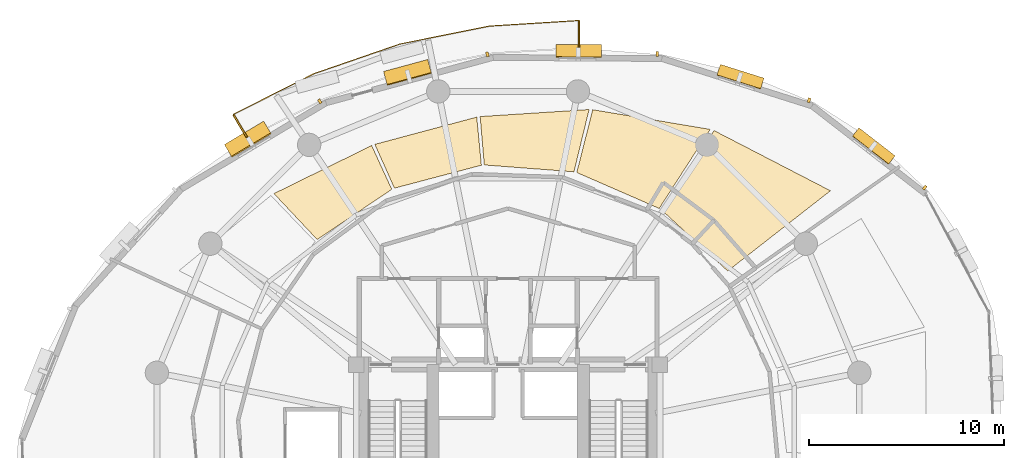
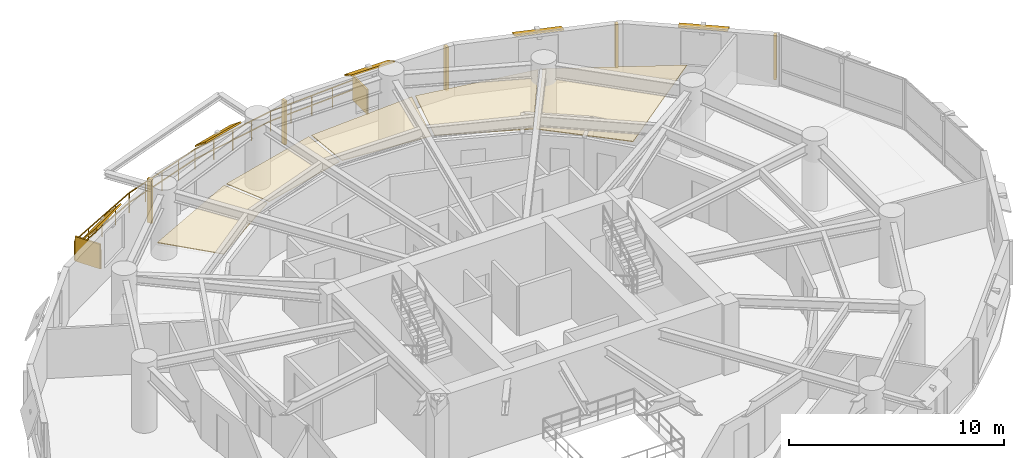
# One storey, part 15 of 15: 12 shading devices, 5 coverings, 1 railing.
"""IFC4 building model written with IfcOpenShell, lengths in metres."""

import ifcopenshell
import ifcopenshell.guid

model = None  # the IFC model being written
_history = None  # IfcOwnerHistory: only IFC2X3 demands one
_inside = {}  # id of a spatial element -> (the spatial element, [elements in it])
_under = {}  # id of a project, library or spatial element -> (it, [spatial elements below it])
_declared = {}  # id of a project -> (the project, [libraries it declares])
_typed = {}  # id of a type object -> (the type object, [elements of that type])
_made_of = {}  # id of a material, layer set ... -> (it, [elements and type objects made of it])


def new_model(schema):
    """Start an empty IFC model of exactly this schema.

    Asked for "IFC4X3", IfcOpenShell would pick the latest addendum, in which some entities
    have other attributes; the version numbers below select the first issue.
    IFC2X3 requires an IfcOwnerHistory on every rooted entity: one is made here for all.
    """
    global model, _history
    if schema == "IFC4X3":
        model = ifcopenshell.file(schema_version=(4, 3, 0, 0))
    else:
        model = ifcopenshell.file(schema=schema)
    _inside.clear()
    _under.clear()
    _declared.clear()
    _typed.clear()
    _made_of.clear()
    _history = None
    if model.schema == "IFC2X3":
        org = make("IfcOrganization", Name="unknown")
        user = make(
            "IfcPersonAndOrganization",
            ThePerson=make("IfcPerson", FamilyName="unknown"),
            TheOrganization=org,
        )
        app = make(
            "IfcApplication",
            ApplicationDeveloper=org,
            Version="unknown",
            ApplicationFullName="unknown",
            ApplicationIdentifier="unknown",
        )
        _history = make(
            "IfcOwnerHistory",
            OwningUser=user,
            OwningApplication=app,
            ChangeAction="ADDED",
            CreationDate=0,
        )
    return model


def make(cls, **values):
    """One entity of the class cls with the attributes given. An attribute that is None is left unset."""
    return model.create_entity(
        cls, **{name: value for name, value in values.items() if value is not None}
    )


def rooted(cls, **values):
    """An entity with a GlobalId (a new one), such as an element, a storey or a relation."""
    return make(cls, GlobalId=ifcopenshell.guid.new(), OwnerHistory=_history, **values)


def si_unit(unit_type, name, prefix=None):
    """IfcSIUnit, for example si_unit("LENGTHUNIT", "METRE", prefix="MILLI")."""
    return make("IfcSIUnit", UnitType=unit_type, Prefix=prefix, Name=name)


def assignment(units):
    """IfcUnitAssignment: the units of a project."""
    return None if units is None else make("IfcUnitAssignment", Units=units)


def point(xyz):
    """IfcCartesianPoint."""
    return None if xyz is None else make("IfcCartesianPoint", Coordinates=xyz)


def direction(xyz):
    """IfcDirection."""
    return None if xyz is None else make("IfcDirection", DirectionRatios=xyz)


def frame(location, z_axis=None, x_axis=None):
    """IfcAxis2Placement3D, a coordinate frame: its origin and axes. An axis left out is left unset."""
    return make(
        "IfcAxis2Placement3D",
        Location=point(location),
        Axis=direction(z_axis),
        RefDirection=direction(x_axis),
    )


def frame_2d(location, x_axis=None):
    """IfcAxis2Placement2D, a coordinate frame in the plane: its origin and x axis."""
    return make(
        "IfcAxis2Placement2D", Location=point(location), RefDirection=direction(x_axis)
    )


def origin():
    """The frame at (0, 0, 0) with its axes left unset."""
    return frame((0.0, 0.0, 0.0))


def origin_2d():
    """The frame at (0, 0) in the plane with its x axis left unset."""
    return frame_2d((0.0, 0.0))


def place(relative_to, where):
    """IfcLocalPlacement: puts the frame where relative to a parent placement (None: the world)."""
    return make(
        "IfcLocalPlacement", PlacementRelTo=relative_to, RelativePlacement=where
    )


def context(
    kind, dimensions, precision=None, world=None, true_north=None, identifier=None
):
    """IfcGeometricRepresentationContext, for example the 3D "Model" context."""
    return make(
        "IfcGeometricRepresentationContext",
        ContextIdentifier=identifier,
        ContextType=kind,
        CoordinateSpaceDimension=dimensions,
        Precision=precision,
        WorldCoordinateSystem=world,
        TrueNorth=true_north,
    )


def subcontext(parent, identifier, kind, view, scale=None):
    """IfcGeometricRepresentationSubContext, for example "Body" below "Model"."""
    return make(
        "IfcGeometricRepresentationSubContext",
        ContextIdentifier=identifier,
        ContextType=kind,
        ParentContext=parent,
        TargetScale=scale,
        TargetView=view,
    )


def project(units=None, contexts=None):
    """IfcProject with its units and contexts."""
    return rooted(
        "IfcProject",
        Name="project",
        RepresentationContexts=contexts,
        UnitsInContext=assignment(units),
    )


def spatial(cls, under=None, at=None, **own):
    """A site, building, storey or space (cls), placed at a placement, below another one or the project."""
    s = rooted(cls, ObjectPlacement=at, **own)
    if under is not None:
        _under.setdefault(under.id(), (under, []))[1].append(s)
    return s


def polyline(points):
    """IfcPolyline through the points."""
    return make("IfcPolyline", Points=[point(p) for p in points])


def profile(cls, at=None, kind="AREA", **sizes):
    """A parametric profile (cls). Its sizes go by their IFC names, for example OverallWidth=200.0."""
    return make(cls, ProfileType=kind, Position=at, **sizes)


def rectangle(**sizes):
    """IfcRectangleProfileDef."""
    return profile("IfcRectangleProfileDef", **sizes)


def outline(outer, holes=None, kind="AREA"):
    """IfcArbitraryClosedProfileDef: a profile drawn as a closed curve; with holes, ...WithVoids."""
    if holes is None:
        return make("IfcArbitraryClosedProfileDef", ProfileType=kind, OuterCurve=outer)
    return make(
        "IfcArbitraryProfileDefWithVoids",
        ProfileType=kind,
        OuterCurve=outer,
        InnerCurves=holes,
    )


def extrude(swept, where, along, depth):
    """IfcExtrudedAreaSolid: the profile swept, set in the frame where, extruded along a direction by depth."""
    return make(
        "IfcExtrudedAreaSolid",
        SweptArea=swept,
        Position=where,
        ExtrudedDirection=direction(along),
        Depth=depth,
    )


def shape(context_of_items, identifier, shape_type, items):
    """IfcShapeRepresentation: the items that make up one representation, for example the "Body"."""
    return make(
        "IfcShapeRepresentation",
        ContextOfItems=context_of_items,
        RepresentationIdentifier=identifier,
        RepresentationType=shape_type,
        Items=items,
    )


def material(Name=None, Category=None):
    """IfcMaterial."""
    return make("IfcMaterial", Name=Name, Category=Category)


def layer(
    of_material, thickness, ventilated=None, Name=None, Category=None, Priority=None
):
    """IfcMaterialLayer: one layer of a wall or slab, of a material (None: an air gap)."""
    return make(
        "IfcMaterialLayer",
        Material=of_material,
        LayerThickness=thickness,
        IsVentilated=ventilated,
        Name=Name,
        Category=Category,
        Priority=Priority,
    )


def layer_set(layers, Name=None):
    """IfcMaterialLayerSet."""
    return make("IfcMaterialLayerSet", MaterialLayers=layers, LayerSetName=Name)


def made_of(thing, what):
    """Note that an element or type object is made of a material, layer set ...; save() writes the relation."""
    if what is not None:
        _made_of.setdefault(what.id(), (what, []))[1].append(thing)
    return thing


def type_object(cls, material=None, **own):
    """A type object (cls), such as IfcWallType, which elements share."""
    return made_of(rooted(cls, **own), material)


def element(
    cls,
    number,
    at=None,
    inside=None,
    cuts=None,
    type_object=None,
    material=None,
    context=None,
    identifier="Body",
    shape_type=None,
    held_by="IfcProductDefinitionShape",
    body=None,
    shapes=None,
    **own,
):
    """One element of the class cls, such as IfcWall. Its Tag is "e" and its number.

    at: its placement. inside: the storey or other place that contains it. cuts: it is an
    opening in that element (IfcRelVoidsElement). A single representation is given by context,
    identifier, shape_type and body (its items); several are given by shapes. held_by: the class
    of the entity that holds the representations. save() writes the other relations.
    """
    e = rooted(cls, Tag="e%d" % number, ObjectPlacement=at, **own)
    if body is not None:
        shapes = [shape(context, identifier, shape_type, body)]
    if shapes is not None:
        e.Representation = make(held_by, Representations=shapes)
    if inside is not None:
        _inside.setdefault(inside.id(), (inside, []))[1].append(e)
    if cuts is not None:
        rooted(
            "IfcRelVoidsElement", RelatingBuildingElement=cuts, RelatedOpeningElement=e
        )
    if type_object is not None:
        _typed.setdefault(type_object.id(), (type_object, []))[1].append(e)
    return made_of(e, material)


def aggregate(whole, parts):
    """IfcRelAggregates: a whole, such as a stair, and the parts it consists of."""
    return rooted("IfcRelAggregates", RelatingObject=whole, RelatedObjects=parts)


def save(model, path):
    """Write the relations noted so far, then the file.

    IfcRelAggregates (storeys below a building ...), IfcRelContainedInSpatialStructure (elements
    in a storey), IfcRelDefinesByType, IfcRelAssociatesMaterial and IfcRelDeclares: one each for
    every whole, place, type object, material and project.
    """
    for whole, parts in _under.values():
        aggregate(whole, parts)
    for where, things in _inside.values():
        rooted(
            "IfcRelContainedInSpatialStructure",
            RelatedElements=things,
            RelatingStructure=where,
        )
    for kind, things in _typed.values():
        rooted("IfcRelDefinesByType", RelatedObjects=things, RelatingType=kind)
    for what, things in _made_of.values():
        rooted("IfcRelAssociatesMaterial", RelatedObjects=things, RelatingMaterial=what)
    for by, libraries in _declared.values():
        rooted("IfcRelDeclares", RelatingContext=by, RelatedDefinitions=libraries)
    model.write(path)


model = new_model("IFC4")

# Units and contexts
model_context = context("Model", 3, precision=1e-05, world=origin(), true_north=direction((0.0, 1.0)))
body_context = subcontext(model_context, "Body", "Model", "MODEL_VIEW")
ifc_project = project(units=[si_unit("LENGTHUNIT", "METRE"), si_unit("AREAUNIT", "SQUARE_METRE"), si_unit("VOLUMEUNIT", "CUBIC_METRE"), si_unit("PLANEANGLEUNIT", "RADIAN"), si_unit("MASSUNIT", "GRAM", prefix="KILO"), si_unit("THERMODYNAMICTEMPERATUREUNIT", "KELVIN"), si_unit("POWERUNIT", "WATT")], contexts=[model_context])

# Site, building, storey
site_placement = place(None, origin())
site = spatial("IfcSite", under=ifc_project, at=site_placement, CompositionType="ELEMENT")
building_placement = place(site_placement, origin())
building = spatial("IfcBuilding", under=site, at=building_placement, Name="Ocrelia Relay Tower", CompositionType="ELEMENT")
storey_placement = place(building_placement, frame((0.0, 0.0, 97.800048828125)))
storey = spatial("IfcBuildingStorey", under=building, at=storey_placement, Name="L22", CompositionType="ELEMENT", Elevation=97.800048828125)

# Coverings
ifc_material_1 = material(Name="Cleanroom metal-pan acoustic ceiling", Category="aluminium")
ifc_layer_1 = layer(ifc_material_1, 0.0400390625, Name="Cleanroom metal-pan acoustic ceiling")
ifc_layer_set_1 = layer_set([ifc_layer_1], Name="Cleanroom metal-pan acoustic ceiling")
covering_type = type_object("IfcCoveringType", Name="COV-CEIL-CLEAN", PredefinedType="CEILING", material=ifc_layer_set_1)
covering_1_placement = place(storey_placement, frame((0.0, 0.0, 2.719970703125)))
element("IfcCovering", 1, at=covering_1_placement, inside=storey, type_object=covering_type, Name="L22 Optical Switching Hall A Suspended Ceiling 1", PredefinedType="CEILING", context=body_context, shape_type="SweptSolid", body=[
    extrude(outline(polyline([(45.2841796875, 34.81640625), (50.565673828125, 38.9423828125), (44.5859375, 42.0341796875), (41.889892578125, 37.950439453125), (45.2841796875, 34.81640625)])), origin(), (0.0, 0.0, 1.0), 0.0400390625),
])
covering_2_placement = place(storey_placement, frame((0.0, 0.0, 2.719970703125)))
element("IfcCovering", 2, at=covering_2_placement, inside=storey, type_object=covering_type, Name="L22 Optical Switching Hall A Suspended Ceiling 2", PredefinedType="CEILING", context=body_context, shape_type="SweptSolid", body=[
    extrude(outline(polyline([(41.764404296875, 38.032470703125), (44.386474609375, 42.095947265625), (38.350341796875, 43.1083984375), (37.529052734375, 39.87841796875), (41.764404296875, 38.032470703125)])), origin(), (0.0, 0.0, 1.0), 0.0400390625),
])
covering_3_placement = place(storey_placement, frame((0.0, 0.0, 2.719970703125)))
element("IfcCovering", 3, at=covering_3_placement, inside=storey, type_object=covering_type, Name="L22 Optical Switching Hall A Suspended Ceiling 3", PredefinedType="CEILING", context=body_context, shape_type="SweptSolid", body=[
    extrude(outline(polyline([(37.38330078125, 39.91455078125), (38.161865234375, 43.1162109375), (32.5634765625, 42.755615234375), (32.77685546875, 40.267578125), (37.38330078125, 39.91455078125)])), origin(), (0.0, 0.0, 1.0), 0.0400390625),
])
covering_4_placement = place(storey_placement, frame((0.0, 0.0, 2.719970703125)))
element("IfcCovering", 4, at=covering_4_placement, inside=storey, type_object=covering_type, Name="L22 Optical Switching Hall A Suspended Ceiling 4", PredefinedType="CEILING", context=body_context, shape_type="SweptSolid", body=[
    extrude(outline(polyline([(32.62744140625, 40.254150390625), (32.389404296875, 42.7265625), (27.154296875, 41.327392578125), (28.160400390625, 39.0751953125), (32.62744140625, 40.254150390625)])), origin(), (0.0, 0.0, 1.0), 0.0400390625),
])
covering_5_placement = place(storey_placement, frame((0.0, 0.0, 2.719970703125)))
element("IfcCovering", 5, at=covering_5_placement, inside=storey, type_object=covering_type, Name="L22 Optical Switching Hall A Suspended Ceiling 5", PredefinedType="CEILING", context=body_context, shape_type="SweptSolid", body=[
    extrude(outline(polyline([(28.023681640625, 39.01318359375), (26.9892578125, 41.26611328125), (21.9697265625, 38.796142578125), (24.191162109375, 36.43310546875), (28.023681640625, 39.01318359375)])), origin(), (0.0, 0.0, 1.0), 0.0400390625),
])

# Railing
ifc_material_2 = material(Name="Steel S355 balustrade", Category="steel")
railing_type = type_object("IfcRailingType", Name="RL-EXT-GUARD-1150", PredefinedType="GUARDRAIL", material=ifc_material_2)
railing_placement = place(storey_placement, frame((20.5908203125, 41.667236328125, 0.0)))
element("IfcRailing", 6, at=railing_placement, inside=storey, type_object=railing_type, Name="L22 Loggia Balcony Guard Rail B1", PredefinedType="GUARDRAIL", context=body_context, shape_type="SweptSolid", body=[
    extrude(rectangle(XDim=0.048095703125, YDim=0.048095703125, at=origin_2d()), frame((0.0, 0.0, 1.1259765625), z_axis=(-0.512820036813, 0.85849613269, 0.0), x_axis=(-0.85849613269, -0.512820036813, 0.0)), (0.0, 0.0, 1.0), 1.3935546875),
    extrude(rectangle(XDim=0.048095703125, YDim=0.048095703125, at=origin_2d()), frame((0.0, 0.0, 0.574951171875), z_axis=(-0.512820036813, 0.85849613269, 0.0), x_axis=(-0.85849613269, -0.512820036813, 0.0)), (0.0, 0.0, 1.0), 1.3935546875),
    extrude(rectangle(XDim=0.048095703125, YDim=0.048095703125, at=origin_2d()), frame((-0.714599609375, 1.1962890625, 1.1259765625), z_axis=(0.892457610398, 0.451131259881, 0.0), x_axis=(-0.451131259881, 0.892457610398, 0.0)), (0.0, 0.0, 1.0), 2.315673828125),
    extrude(rectangle(XDim=0.048095703125, YDim=0.048095703125, at=origin_2d()), frame((-0.714599609375, 1.1962890625, 0.574951171875), z_axis=(0.892457610398, 0.451131259881, 0.0), x_axis=(-0.451131259881, 0.892457610398, 0.0)), (0.0, 0.0, 1.0), 2.315673828125),
    extrude(rectangle(XDim=0.048095703125, YDim=0.048095703125, at=origin_2d()), frame((1.35205078125, 2.240966796875, 1.1259765625), z_axis=(0.892415161061, 0.451215226148, 0.0), x_axis=(-0.451215226148, 0.892415161061, 0.0)), (0.0, 0.0, 1.0), 2.315673828125),
    extrude(rectangle(XDim=0.048095703125, YDim=0.048095703125, at=origin_2d()), frame((1.35205078125, 2.240966796875, 0.574951171875), z_axis=(0.892415161061, 0.451215226148, 0.0), x_axis=(-0.451215226148, 0.892415161061, 0.0)), (0.0, 0.0, 1.0), 2.315673828125),
    extrude(rectangle(XDim=0.048095703125, YDim=0.048095703125, at=origin_2d()), frame((3.418701171875, 3.285888671875, 1.1259765625), z_axis=(0.94528262495, 0.32625259994, 0.0), x_axis=(-0.32625259994, 0.94528262495, 0.0)), (0.0, 0.0, 1.0), 4.68212890625),
    extrude(rectangle(XDim=0.048095703125, YDim=0.048095703125, at=origin_2d()), frame((3.418701171875, 3.285888671875, 0.574951171875), z_axis=(0.94528262495, 0.32625259994, 0.0), x_axis=(-0.32625259994, 0.94528262495, 0.0)), (0.0, 0.0, 1.0), 4.68212890625),
    extrude(rectangle(XDim=0.048095703125, YDim=0.048095703125, at=origin_2d()), frame((7.8447265625, 4.8134765625, 1.1259765625), z_axis=(0.980413862374, 0.196948364971, 0.0), x_axis=(-0.196948364971, 0.980413862374, 0.0)), (0.0, 0.0, 1.0), 4.68212890625),
    extrude(rectangle(XDim=0.048095703125, YDim=0.048095703125, at=origin_2d()), frame((7.8447265625, 4.8134765625, 0.574951171875), z_axis=(0.980413862374, 0.196948364971, 0.0), x_axis=(-0.196948364971, 0.980413862374, 0.0)), (0.0, 0.0, 1.0), 4.68212890625),
    extrude(rectangle(XDim=0.048095703125, YDim=0.048095703125, at=origin_2d()), frame((12.43505859375, 5.735595703125, 1.1259765625), z_axis=(0.998043954597, 0.062516115462, 0.0), x_axis=(-0.062516115462, 0.998043954597, 0.0)), (0.0, 0.0, 1.0), 2.31591796875),
    extrude(rectangle(XDim=0.048095703125, YDim=0.048095703125, at=origin_2d()), frame((12.43505859375, 5.735595703125, 0.574951171875), z_axis=(0.998043954597, 0.062516115462, 0.0), x_axis=(-0.062516115462, 0.998043954597, 0.0)), (0.0, 0.0, 1.0), 2.31591796875),
    extrude(rectangle(XDim=0.048095703125, YDim=0.048095703125, at=origin_2d()), frame((14.746337890625, 5.88037109375, 1.1259765625), z_axis=(0.99805052689, 0.062411102981, 0.0), x_axis=(-0.062411102981, 0.99805052689, 0.0)), (0.0, 0.0, 1.0), 2.315673828125),
    extrude(rectangle(XDim=0.048095703125, YDim=0.048095703125, at=origin_2d()), frame((14.746337890625, 5.88037109375, 0.574951171875), z_axis=(0.99805052689, 0.062411102981, 0.0), x_axis=(-0.062411102981, 0.99805052689, 0.0)), (0.0, 0.0, 1.0), 2.315673828125),
    extrude(rectangle(XDim=0.048095703125, YDim=0.048095703125, at=origin_2d()), frame((17.0576171875, 6.02490234375, 1.1259765625), z_axis=(-0.007883427057, -0.999968925306, 0.0), x_axis=(0.999968925306, -0.007883427057, 0.0)), (0.0, 0.0, 1.0), 1.3935546875),
    extrude(rectangle(XDim=0.048095703125, YDim=0.048095703125, at=origin_2d()), frame((17.0576171875, 6.02490234375, 0.574951171875), z_axis=(-0.007883427057, -0.999968925306, 0.0), x_axis=(0.999968925306, -0.007883427057, 0.0)), (0.0, 0.0, 1.0), 1.3935546875),
    extrude(rectangle(XDim=0.0419921875, YDim=0.0419921875, at=origin_2d()), origin(), (0.0, 0.0, 1.0), 1.101806640625),
    extrude(rectangle(XDim=0.0419921875, YDim=0.0419921875, at=origin_2d()), frame((-0.357421875, 0.59814453125, 0.0)), (0.0, 0.0, 1.0), 1.101806640625),
    extrude(rectangle(XDim=0.0419921875, YDim=0.0419921875, at=origin_2d()), frame((-0.714599609375, 1.1962890625, 0.0)), (0.0, 0.0, 1.0), 1.101806640625),
    extrude(rectangle(XDim=0.0419921875, YDim=0.0419921875, at=origin_2d()), frame((0.31884765625, 1.71875, 0.0)), (0.0, 0.0, 1.0), 1.101806640625),
    extrude(rectangle(XDim=0.0419921875, YDim=0.0419921875, at=origin_2d()), frame((1.35205078125, 2.240966796875, 0.0)), (0.0, 0.0, 1.0), 1.101806640625),
    extrude(rectangle(XDim=0.0419921875, YDim=0.0419921875, at=origin_2d()), frame((2.38525390625, 2.763427734375, 0.0)), (0.0, 0.0, 1.0), 1.101806640625),
    extrude(rectangle(XDim=0.0419921875, YDim=0.0419921875, at=origin_2d()), frame((3.418701171875, 3.285888671875, 0.0)), (0.0, 0.0, 1.0), 1.101806640625),
    extrude(rectangle(XDim=0.0419921875, YDim=0.0419921875, at=origin_2d()), frame((4.525146484375, 3.667724609375, 0.0)), (0.0, 0.0, 1.0), 1.101806640625),
    extrude(rectangle(XDim=0.0419921875, YDim=0.0419921875, at=origin_2d()), frame((5.6318359375, 4.0498046875, 0.0)), (0.0, 0.0, 1.0), 1.101806640625),
    extrude(rectangle(XDim=0.0419921875, YDim=0.0419921875, at=origin_2d()), frame((6.73828125, 4.431640625, 0.0)), (0.0, 0.0, 1.0), 1.101806640625),
    extrude(rectangle(XDim=0.0419921875, YDim=0.0419921875, at=origin_2d()), frame((7.8447265625, 4.8134765625, 0.0)), (0.0, 0.0, 1.0), 1.101806640625),
    extrude(rectangle(XDim=0.0419921875, YDim=0.0419921875, at=origin_2d()), frame((8.9921875, 5.0439453125, 0.0)), (0.0, 0.0, 1.0), 1.101806640625),
    extrude(rectangle(XDim=0.0419921875, YDim=0.0419921875, at=origin_2d()), frame((10.139892578125, 5.2744140625, 0.0)), (0.0, 0.0, 1.0), 1.101806640625),
    extrude(rectangle(XDim=0.0419921875, YDim=0.0419921875, at=origin_2d()), frame((11.28759765625, 5.505126953125, 0.0)), (0.0, 0.0, 1.0), 1.101806640625),
    extrude(rectangle(XDim=0.0419921875, YDim=0.0419921875, at=origin_2d()), frame((12.43505859375, 5.735595703125, 0.0)), (0.0, 0.0, 1.0), 1.101806640625),
    extrude(rectangle(XDim=0.0419921875, YDim=0.0419921875, at=origin_2d()), frame((13.5908203125, 5.80810546875, 0.0)), (0.0, 0.0, 1.0), 1.101806640625),
    extrude(rectangle(XDim=0.0419921875, YDim=0.0419921875, at=origin_2d()), frame((14.746337890625, 5.88037109375, 0.0)), (0.0, 0.0, 1.0), 1.101806640625),
    extrude(rectangle(XDim=0.0419921875, YDim=0.0419921875, at=origin_2d()), frame((15.90185546875, 5.95263671875, 0.0)), (0.0, 0.0, 1.0), 1.101806640625),
    extrude(rectangle(XDim=0.0419921875, YDim=0.0419921875, at=origin_2d()), frame((17.0576171875, 6.02490234375, 0.0)), (0.0, 0.0, 1.0), 1.101806640625),
    extrude(rectangle(XDim=0.0419921875, YDim=0.0419921875, at=origin_2d()), frame((17.05224609375, 5.328125, 0.0)), (0.0, 0.0, 1.0), 1.101806640625),
    extrude(rectangle(XDim=0.0419921875, YDim=0.0419921875, at=origin_2d()), frame((17.046630859375, 4.63134765625, 0.0)), (0.0, 0.0, 1.0), 1.101806640625),
])

# Shading devices
ifc_material_3 = material(Name="Perforated oxide terracotta solar screen", Category="masonry")
ifc_layer_2 = layer(ifc_material_3, 0.090087890625, Name="Perforated oxide terracotta solar screen")
ifc_layer_set_2 = layer_set([ifc_layer_2], Name="Perforated oxide terracotta solar screen")
shading_device_type_1 = type_object("IfcShadingDeviceType", Name="SH-BALC-SCREEN", PredefinedType="USERDEFINED", material=ifc_layer_set_2)
for number, where, z_axis, x_axis, name in (
    (7, (37.642822265625, 46.995361328125, 0.0), (0.0, 0.0, 1.0), (0.007965873277, 0.999968271928, 0.0), "L22 Balcony Perforated Terracotta Screen B1-1"),
    (8, (20.233642578125, 42.265380859375, 0.0), (0.0, 0.0, 1.0), (-0.512869675439, 0.858466479261, 0.0), "L22 Balcony Perforated Terracotta Screen B1-2"),
):
    element("IfcShadingDevice", number, at=place(storey_placement, frame(where, z_axis=z_axis, x_axis=x_axis)), inside=storey, type_object=shading_device_type_1, Name=name, ObjectType="SCREEN", PredefinedType="USERDEFINED", context=body_context, shape_type="SweptSolid", body=[
        extrude(rectangle(XDim=1.340087890625, YDim=0.090087890625, at=origin_2d()), origin(), (0.0, 0.0, 1.0), 1.39990234375),
    ])
ifc_material_4 = material(Name="Extruded oxide terracotta vertical baguette", Category="masonry")
shading_device_type_2 = type_object("IfcShadingDeviceType", Name="SH-TERR-BAGUETTE", PredefinedType="USERDEFINED", material=ifc_material_4)
for number, where, z_axis, x_axis, name in (
    (9, (55.408203125, 39.10498046875, 0.199951171875), (0.0, 0.0, 1.0), (-0.790363406369, 0.612638299384, 0.0), "L22 Oxide Terracotta Vertical Baguette 02"),
    (10, (49.4619140625, 43.59130859375, 0.199951171875), (0.0, 0.0, 1.0), (-0.95362167672, 0.30100780337, 0.0), "L22 Oxide Terracotta Vertical Baguette 03"),
    (11, (41.663330078125, 45.968017578125, 0.199951171875), (0.0, 0.0, 1.0), (-0.99997900527, 0.006479893474, 0.0), "L22 Oxide Terracotta Vertical Baguette 04"),
    (12, (32.93701171875, 45.951416015625, 0.199951171875), (0.0, 0.0, 1.0), (-0.965015154007, -0.262194112323, 0.0), "L22 Oxide Terracotta Vertical Baguette 05"),
    (13, (24.325439453125, 43.5361328125, 0.199951171875), (0.0, 0.0, 1.0), (-0.859219635369, -0.511606898113, 0.0), "L22 Oxide Terracotta Vertical Baguette 06"),
):
    element("IfcShadingDevice", number, at=place(storey_placement, frame(where, z_axis=z_axis, x_axis=x_axis)), inside=storey, type_object=shading_device_type_2, Name=name, ObjectType="BAGUETTE", PredefinedType="USERDEFINED", context=body_context, shape_type="SweptSolid", body=[
        extrude(rectangle(XDim=0.139892578125, YDim=0.239990234375, at=origin_2d()), origin(), (0.0, 0.0, 1.0), 2.5),
    ])
ifc_material_5 = material(Name="Extruded oxide terracotta fin", Category="masonry")
ifc_layer_3 = layer(ifc_material_5, 0.080078125, Name="Extruded oxide terracotta fin")
ifc_layer_set_3 = layer_set([ifc_layer_3], Name="Extruded oxide terracotta fin")
shading_device_type_3 = type_object("IfcShadingDeviceType", Name="SH-VISOR-FIN-MED", PredefinedType="USERDEFINED", material=ifc_layer_set_3)
shading_device_1_placement = place(storey_placement, frame((28.8388671875, 44.99609375, 2.70849609375), z_axis=(-0.161098069976, 0.592927420948, 0.788976859824), x_axis=(-0.965015154007, -0.262194112323, 0.0)))
element("IfcShadingDevice", 14, at=shading_device_1_placement, inside=storey, type_object=shading_device_type_3, Name="L22 Canted Terracotta Sun-Visor Fin 05", ObjectType="FIN", PredefinedType="USERDEFINED", context=body_context, shape_type="SweptSolid", body=[
    extrude(rectangle(XDim=2.35009765625, YDim=0.882080078125, at=origin_2d()), origin(), (0.0, 0.0, 1.0), 0.080078125),
])
shading_device_2_placement = place(storey_placement, frame((20.6416015625, 41.5634765625, 2.71337890625), z_axis=(-0.382934152444, 0.643119832916, 0.663142756428), x_axis=(-0.859219635369, -0.511606898113, 0.0)))
element("IfcShadingDevice", 15, at=shading_device_2_placement, inside=storey, type_object=shading_device_type_3, Name="L22 Canted Terracotta Sun-Visor Fin 06", ObjectType="FIN", PredefinedType="USERDEFINED", context=body_context, shape_type="SweptSolid", body=[
    extrude(rectangle(XDim=2.35009765625, YDim=1.05810546875, at=origin_2d()), origin(), (0.0, 0.0, 1.0), 0.080078125),
])
ifc_layer_4 = layer(ifc_material_5, 0.080078125, Name="Extruded oxide terracotta fin")
ifc_layer_set_4 = layer_set([ifc_layer_4], Name="Extruded oxide terracotta fin")
shading_device_type_4 = type_object("IfcShadingDeviceType", Name="SH-VISOR-FIN-SHAL", PredefinedType="USERDEFINED", material=ifc_layer_set_4)
shading_device_3_placement = place(storey_placement, frame((52.77783203125, 41.2275390625, 2.7021484375), z_axis=(0.19662234731, 0.2536620847, 0.947098304995), x_axis=(-0.790363406369, 0.612638299384, 0.0)))
element("IfcShadingDevice", 16, at=shading_device_3_placement, inside=storey, type_object=shading_device_type_4, Name="L22 Canted Terracotta Sun-Visor Fin 02", ObjectType="FIN", PredefinedType="USERDEFINED", context=body_context, shape_type="SweptSolid", body=[
    extrude(rectangle(XDim=2.35009765625, YDim=0.56201171875, at=origin_2d()), origin(), (0.0, 0.0, 1.0), 0.080078125),
])
shading_device_4_placement = place(storey_placement, frame((45.93505859375, 44.78369140625, 2.702880859375), z_axis=(0.111687052173, 0.353835325093, 0.928615402141), x_axis=(-0.95362167672, 0.30100780337, 0.0)))
element("IfcShadingDevice", 17, at=shading_device_4_placement, inside=storey, type_object=shading_device_type_4, Name="L22 Canted Terracotta Sun-Visor Fin 03", ObjectType="FIN", PredefinedType="USERDEFINED", context=body_context, shape_type="SweptSolid", body=[
    extrude(rectangle(XDim=2.35009765625, YDim=0.613037109375, at=origin_2d()), origin(), (0.0, 0.0, 1.0), 0.080078125),
])
shading_device_5_placement = place(storey_placement, frame((37.629150390625, 46.101318359375, 2.70458984375), z_axis=(0.003058091014, 0.471925475727, 0.881633139939), x_axis=(-0.99997900527, 0.006479893474, 0.0)))
element("IfcShadingDevice", 18, at=shading_device_5_placement, inside=storey, type_object=shading_device_type_4, Name="L22 Canted Terracotta Sun-Visor Fin 04", ObjectType="FIN", PredefinedType="USERDEFINED", context=body_context, shape_type="SweptSolid", body=[
    extrude(rectangle(XDim=2.35009765625, YDim=0.718994140625, at=origin_2d()), origin(), (0.0, 0.0, 1.0), 0.080078125),
])

save(model, "model.ifc")
